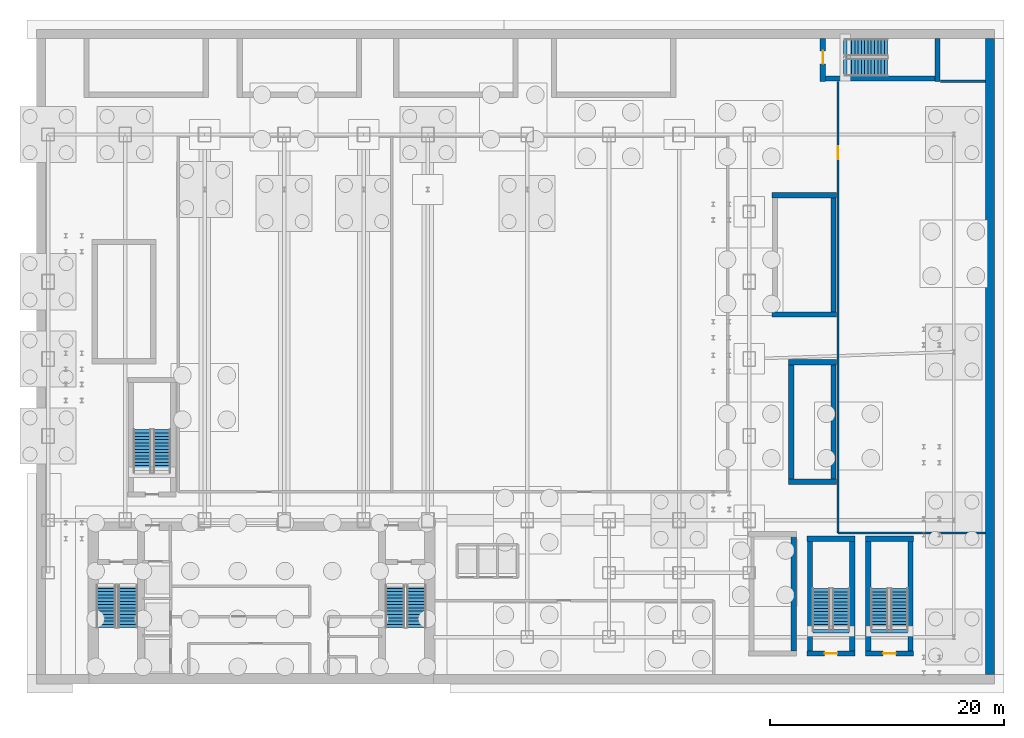
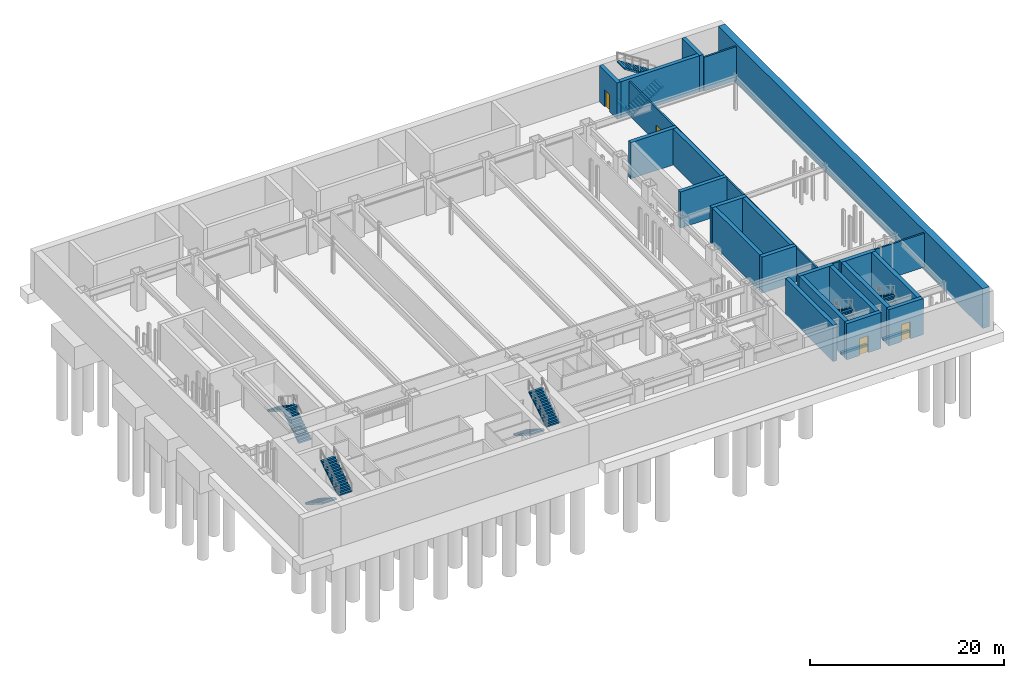
# One storey, part 13 of 17: 26 walls, 12 stair flights, 4 doors, 4 openings, 6 elements without a shape of their own.
"""IFC4 building model written with IfcOpenShell, lengths in metres."""

from ifc_helpers import new_model, si_unit, derived_unit, direction, frame, frame_2d, origin, place, context, subcontext, project, spatial, polyline, rectangle, outline, extrude, source, transform, mapped, material, layer, layer_set, type_object, element, fill, aggregate, save


model = new_model("IFC4")

# Units and contexts
model_context = context("Model", 3, precision=1e-05, world=origin(), true_north=direction((0.0, 1.0)))
body_context = subcontext(model_context, "Body", "Model", "MODEL_VIEW")
ifc_project = project(units=[si_unit("LENGTHUNIT", "METRE"), si_unit("AREAUNIT", "SQUARE_METRE"), si_unit("VOLUMEUNIT", "CUBIC_METRE"), si_unit("PLANEANGLEUNIT", "RADIAN"), si_unit("MASSUNIT", "GRAM", prefix="KILO"), derived_unit("THERMALTRANSMITTANCEUNIT", [(si_unit("POWERUNIT", "WATT"), 1), (si_unit("LENGTHUNIT", "METRE"), -2), (si_unit("THERMODYNAMICTEMPERATUREUNIT", "KELVIN"), -1)])], contexts=[model_context])

# Site, building, storey
site_placement = place(None, origin())
site = spatial("IfcSite", under=ifc_project, at=site_placement, CompositionType="ELEMENT")
building_placement = place(site_placement, origin())
building = spatial("IfcBuilding", under=site, at=building_placement, Name="Skarnbrae Concourse Arena and Tower", CompositionType="ELEMENT")
storey_placement = place(building_placement, frame((0.0, 0.0, -10.0)))
storey = spatial("IfcBuildingStorey", under=building, at=storey_placement, Name="B02", CompositionType="ELEMENT", Elevation=-10.0)

# Wall
ifc_material_1 = material(Name="Concrete 50 MPa (C50/60)", Category="concrete")
ifc_layer_1 = layer(ifc_material_1, 0.800048828125)
ifc_layer_set_1 = layer_set([ifc_layer_1], Name="Concrete 50 MPa (C50/60)")
wall_type_1 = type_object("IfcWallType", Name="WALL-RETAINING-800", PredefinedType="USERDEFINED", material=ifc_layer_set_1)
shared_shape_1 = source(origin(), body_context, "Body", "SweptSolid", [
    extrude(rectangle(XDim=54.39990234375, YDim=0.800048828125, at=frame_2d((27.199951171875, 0.0))), origin(), (0.0, 0.0, 1.0), 5.0),
])
wall_1_placement = place(storey_placement, frame((81.60009765625, 0.800048828125, 0.0), z_axis=(0.0, 0.0, 1.0), x_axis=(0.0, 1.0, 0.0)))
element("IfcWall", 1, at=wall_1_placement, inside=storey, type_object=wall_type_1, Name="B02 Basement retaining wall RW-E", ObjectType="RETAINING WALL", PredefinedType="USERDEFINED", context=body_context, shape_type="MappedRepresentation", body=[
    mapped(shared_shape_1, transform((0.0, 0.0, 0.0))),
])

# Wall, opening, door
ifc_layer_2 = layer(ifc_material_1, 0.449951171875)
ifc_layer_set_2 = layer_set([ifc_layer_2], Name="Concrete 50 MPa (C50/60)")
wall_type_2 = type_object("IfcWallType", Name="WALL-CORE-450-C50", PredefinedType="SHEAR", material=ifc_layer_set_2)
shared_shape_2 = source(origin(), body_context, "Body", "SweptSolid", [
    extrude(rectangle(XDim=4.10009765625, YDim=0.449951171875, at=frame_2d((2.050048828125, 0.0))), origin(), (0.0, 0.0, 1.0), 4.550048828125),
])
wall_2_placement = place(storey_placement, frame((65.949951171875, 2.594970703125, 0.449951171875), z_axis=(0.0, 0.0, 1.0), x_axis=(1.0, 0.0, 0.0)))
wall_2 = element("IfcWall", 2, at=wall_2_placement, inside=storey, type_object=wall_type_2, Name="B02 Protected stair shaft wall ST-B1-S", PredefinedType="SHEAR", context=body_context, shape_type="MappedRepresentation", body=[
    mapped(shared_shape_2, transform((0.0, 0.0, 0.0))),
])
opening_1_placement = place(wall_2_placement, frame((1.5, 0.0, 0.0)))
opening_1 = element("IfcOpeningElement", 3, at=opening_1_placement, cuts=wall_2, Name="Opening DT-03", PredefinedType="OPENING", context=body_context, shape_type="SweptSolid", body=[
    extrude(rectangle(XDim=1.10009765625, YDim=2.14990234375, at=frame_2d((0.550048828125, 1.074951171875))), frame((0.0, 0.23486328125, 0.0), z_axis=(0.0, -1.0, 0.0), x_axis=(1.0, 0.0, 0.0)), (0.0, 0.0, 1.0), 0.469970703125),
])
ifc_material_2 = material(Name="Steel CSA G40.21 350W", Category="steel")
door_type = type_object("IfcDoorType", Name="DOOR-FIRE-1100-90M", OperationType="NOTDEFINED", PredefinedType="DOOR", material=ifc_material_2)
shared_shape_3 = source(origin(), body_context, "Body", "SweptSolid", [
    extrude(rectangle(XDim=1.10009765625, YDim=2.14990234375, at=frame_2d((0.550048828125, 1.074951171875))), frame((0.0, 0.02490234375, 0.0), z_axis=(0.0, -1.0, 0.0), x_axis=(1.0, 0.0, 0.0)), (0.0, 0.0, 1.0), 0.050048828125),
])
door_1_placement = place(opening_1_placement, origin())
door_1 = element("IfcDoor", 4, at=door_1_placement, inside=storey, type_object=door_type, Name="D-0119 Exit Stair ST-B1 Door", OperationType="SINGLE_SWING_LEFT", OverallHeight=2.14990234375, OverallWidth=1.10009765625, PredefinedType="DOOR", context=body_context, shape_type="MappedRepresentation", body=[
    mapped(shared_shape_3, transform((0.0, 0.0, 0.0))),
])
fill(opening_1, door_1)

# Wall
wall_3_placement = place(storey_placement, frame((65.949951171875, 12.405029296875, 0.449951171875), z_axis=(0.0, 0.0, 1.0), x_axis=(1.0, 0.0, 0.0)))
element("IfcWall", 5, at=wall_3_placement, inside=storey, type_object=wall_type_2, Name="B02 Protected stair shaft wall ST-B1-N", PredefinedType="SHEAR", context=body_context, shape_type="MappedRepresentation", body=[
    mapped(shared_shape_2, transform((0.0, 0.0, 0.0))),
])

# Wall, opening, door
wall_4_placement = place(storey_placement, frame((70.949951171875, 2.594970703125, 0.449951171875), z_axis=(0.0, 0.0, 1.0), x_axis=(1.0, 0.0, 0.0)))
wall_4 = element("IfcWall", 6, at=wall_4_placement, inside=storey, type_object=wall_type_2, Name="B02 Protected stair shaft wall ST-B2-S", PredefinedType="SHEAR", context=body_context, shape_type="MappedRepresentation", body=[
    mapped(shared_shape_2, transform((0.0, 0.0, 0.0))),
])
opening_2_placement = place(wall_4_placement, frame((1.5, 0.0, 0.0)))
opening_2 = element("IfcOpeningElement", 7, at=opening_2_placement, cuts=wall_4, Name="Opening DT-03", PredefinedType="OPENING", context=body_context, shape_type="SweptSolid", body=[
    extrude(rectangle(XDim=1.10009765625, YDim=2.14990234375, at=frame_2d((0.550048828125, 1.074951171875))), frame((0.0, 0.23486328125, 0.0), z_axis=(0.0, -1.0, 0.0), x_axis=(1.0, 0.0, 0.0)), (0.0, 0.0, 1.0), 0.469970703125),
])
door_2_placement = place(opening_2_placement, origin())
door_2 = element("IfcDoor", 8, at=door_2_placement, inside=storey, type_object=door_type, Name="D-0120 Exit Stair ST-B2 Door", OperationType="SINGLE_SWING_LEFT", OverallHeight=2.14990234375, OverallWidth=1.10009765625, PredefinedType="DOOR", context=body_context, shape_type="MappedRepresentation", body=[
    mapped(shared_shape_3, transform((0.0, 0.0, 0.0))),
])
fill(opening_2, door_2)

# Walls
wall_5_placement = place(storey_placement, frame((70.949951171875, 12.405029296875, 0.449951171875), z_axis=(0.0, 0.0, 1.0), x_axis=(1.0, 0.0, 0.0)))
element("IfcWall", 9, at=wall_5_placement, inside=storey, type_object=wall_type_2, Name="B02 Protected stair shaft wall ST-B2-N", PredefinedType="SHEAR", context=body_context, shape_type="MappedRepresentation", body=[
    mapped(shared_shape_2, transform((0.0, 0.0, 0.0))),
])
shared_shape_4 = source(origin(), body_context, "Body", "SweptSolid", [
    extrude(rectangle(XDim=9.800048828125, YDim=0.449951171875, at=frame_2d((4.89990234375, 0.0))), origin(), (0.0, 0.0, 1.0), 4.550048828125),
])
for number, where, z_axis, x_axis, name in (
    (10, (64.804931640625, 2.800048828125, 0.449951171875), (0.0, 0.0, 1.0), (0.0, 1.0, 0.0), "B02 Protected stair shaft wall ST-A1-E"),
    (11, (64.594970703125, 17.5, 0.449951171875), (0.0, 0.0, 1.0), (0.0, 1.0, 0.0), "B02 Protected stair shaft wall ST-A2-W"),
    (12, (68.205078125, 17.5, 0.449951171875), (0.0, 0.0, 1.0), (0.0, 1.0, 0.0), "B02 Protected stair shaft wall ST-A2-E"),
    (13, (68.205078125, 31.800048828125, 0.449951171875), (0.0, 0.0, 1.0), (0.0, 1.0, 0.0), "B02 Protected stair shaft wall ST-A4-E"),
):
    element("IfcWall", number, at=place(storey_placement, frame(where, z_axis=z_axis, x_axis=x_axis)), inside=storey, type_object=wall_type_2, Name=name, PredefinedType="SHEAR", context=body_context, shape_type="MappedRepresentation", body=[
        mapped(shared_shape_4, transform((0.0, 0.0, 0.0))),
    ])
shared_shape_5 = source(origin(), body_context, "Body", "SweptSolid", [
    extrude(rectangle(XDim=4.099853515625, YDim=0.449951171875, at=frame_2d((2.0498046875, 0.0))), origin(), (0.0, 0.0, 1.0), 4.550048828125),
])
for number, where, z_axis, x_axis, name in (
    (14, (64.35009765625, 17.294921875, 0.449951171875), (0.0, 0.0, 1.0), (1.0, 0.0, 0.0), "B02 Protected stair shaft wall ST-A2-S"),
    (15, (64.35009765625, 27.5048828125, 0.449951171875), (0.0, 0.0, 1.0), (1.0, 0.0, 0.0), "B02 Protected stair shaft wall ST-A2-N"),
):
    element("IfcWall", number, at=place(storey_placement, frame(where, z_axis=z_axis, x_axis=x_axis)), inside=storey, type_object=wall_type_2, Name=name, PredefinedType="SHEAR", context=body_context, shape_type="MappedRepresentation", body=[
        mapped(shared_shape_5, transform((0.0, 0.0, 0.0))),
    ])
shared_shape_6 = source(origin(), body_context, "Body", "SweptSolid", [
    extrude(rectangle(XDim=5.5, YDim=0.449951171875, at=frame_2d((2.75, 0.0))), origin(), (0.0, 0.0, 1.0), 4.550048828125),
])
for number, where, z_axis, x_axis, name in (
    (16, (62.949951171875, 31.594970703125, 0.449951171875), (0.0, 0.0, 1.0), (1.0, 0.0, 0.0), "B02 Protected stair shaft wall ST-A4-S"),
    (17, (62.949951171875, 41.804931640625, 0.449951171875), (0.0, 0.0, 1.0), (1.0, 0.0, 0.0), "B02 Protected stair shaft wall ST-A4-N"),
):
    element("IfcWall", number, at=place(storey_placement, frame(where, z_axis=z_axis, x_axis=x_axis)), inside=storey, type_object=wall_type_2, Name=name, PredefinedType="SHEAR", context=body_context, shape_type="MappedRepresentation", body=[
        mapped(shared_shape_6, transform((0.0, 0.0, 0.0))),
    ])
shared_shape_7 = source(origin(), body_context, "Body", "SweptSolid", [
    extrude(rectangle(XDim=9.39990234375, YDim=0.449951171875, at=frame_2d((4.699951171875, 0.0))), origin(), (0.0, 0.0, 1.0), 4.550048828125),
])
for number, where, z_axis, x_axis, name in (
    (18, (66.195068359375, 2.800048828125, 0.449951171875), (0.0, 0.0, 1.0), (0.0, 1.0, 0.0), "B02 Protected stair shaft wall ST-B1-W"),
    (19, (69.804931640625, 2.800048828125, 0.449951171875), (0.0, 0.0, 1.0), (0.0, 1.0, 0.0), "B02 Protected stair shaft wall ST-B1-E"),
    (20, (71.195068359375, 2.800048828125, 0.449951171875), (0.0, 0.0, 1.0), (0.0, 1.0, 0.0), "B02 Protected stair shaft wall ST-B2-W"),
    (21, (74.804931640625, 2.800048828125, 0.449951171875), (0.0, 0.0, 1.0), (0.0, 1.0, 0.0), "B02 Protected stair shaft wall ST-B2-E"),
    (22, (67.5, 51.794921875, 0.449951171875), (0.0, 0.0, 1.0), (1.0, 0.0, 0.0), "B02 Protected stair shaft wall ST-B4-S"),
):
    element("IfcWall", number, at=place(storey_placement, frame(where, z_axis=z_axis, x_axis=x_axis)), inside=storey, type_object=wall_type_2, Name=name, PredefinedType="SHEAR", context=body_context, shape_type="MappedRepresentation", body=[
        mapped(shared_shape_7, transform((0.0, 0.0, 0.0))),
    ])
shared_shape_8 = source(origin(), body_context, "Body", "SweptSolid", [
    extrude(rectangle(XDim=3.10009765625, YDim=0.300048828125, at=frame_2d((1.550048828125, 0.0))), origin(), (0.0, 0.0, 1.0), 0.300048828125),
])
for number, where, z_axis, x_axis, name in (
    (23, (69.550048828125, 4.5, -0.300048828125), (0.0, 0.0, 1.0), (-1.0, 0.0, 0.0), "B02 Stair ST-B1 foundation sleeper step"),
    (24, (74.550048828125, 4.5, -0.300048828125), (0.0, 0.0, 1.0), (-1.0, 0.0, 0.0), "B02 Stair ST-B2 foundation sleeper step"),
):
    element("IfcWall", number, at=place(storey_placement, frame(where, z_axis=z_axis, x_axis=x_axis)), inside=storey, type_object=wall_type_2, Name=name, PredefinedType="SHEAR", context=body_context, shape_type="MappedRepresentation", body=[
        mapped(shared_shape_8, transform((0.0, 0.0, 0.0))),
    ])
shared_shape_9 = source(origin(), body_context, "Body", "SweptSolid", [
    extrude(rectangle(XDim=3.099853515625, YDim=0.300048828125, at=frame_2d((1.5498046875, 0.0))), origin(), (0.0, 0.0, 1.0), 0.300048828125),
])
wall_6_placement = place(storey_placement, frame((69.199951171875, 52.050048828125, -0.300048828125), z_axis=(0.0, 0.0, 1.0), x_axis=(0.0, 1.0, 0.0)))
element("IfcWall", 25, at=wall_6_placement, inside=storey, type_object=wall_type_2, Name="B02 Stair ST-B4 foundation sleeper step", PredefinedType="SHEAR", context=body_context, shape_type="MappedRepresentation", body=[
    mapped(shared_shape_9, transform((0.0, 0.0, 0.0))),
])

# Wall, opening, door
shared_shape_10 = source(origin(), body_context, "Body", "SweptSolid", [
    extrude(rectangle(XDim=3.64990234375, YDim=0.449951171875, at=frame_2d((1.824951171875, 0.0))), origin(), (0.0, 0.0, 1.0), 4.550048828125),
])
wall_7_placement = place(storey_placement, frame((67.294921875, 51.550048828125, 0.449951171875), z_axis=(0.0, 0.0, 1.0), x_axis=(0.0, 1.0, 0.0)))
wall_7 = element("IfcWall", 26, at=wall_7_placement, inside=storey, type_object=wall_type_2, Name="B02 Protected stair shaft wall ST-B4-W", PredefinedType="SHEAR", context=body_context, shape_type="MappedRepresentation", body=[
    mapped(shared_shape_10, transform((0.0, 0.0, 0.0))),
])
opening_3_placement = place(wall_7_placement, frame((1.5, 0.0, 0.0)))
opening_3 = element("IfcOpeningElement", 27, at=opening_3_placement, cuts=wall_7, Name="Opening DT-03", PredefinedType="OPENING", context=body_context, shape_type="SweptSolid", body=[
    extrude(rectangle(XDim=1.10009765625, YDim=2.14990234375, at=frame_2d((0.550048828125, 1.074951171875))), frame((0.0, 0.23486328125, 0.0), z_axis=(0.0, -1.0, 0.0), x_axis=(1.0, 0.0, 0.0)), (0.0, 0.0, 1.0), 0.469970703125),
])
door_3_placement = place(opening_3_placement, frame((1.10009765625, 0.0, 0.0), z_axis=(0.0, 0.0, 1.0), x_axis=(-1.0, 0.0, 0.0)))
door_3 = element("IfcDoor", 28, at=door_3_placement, inside=storey, type_object=door_type, Name="D-0122 Exit Stair ST-B4 Door", OperationType="SINGLE_SWING_LEFT", OverallHeight=2.14990234375, OverallWidth=1.10009765625, PredefinedType="DOOR", context=body_context, shape_type="MappedRepresentation", body=[
    mapped(shared_shape_3, transform((0.0, 0.0, 0.0))),
])
fill(opening_3, door_3)

# Wall
wall_8_placement = place(storey_placement, frame((77.10498046875, 51.550048828125, 0.449951171875), z_axis=(0.0, 0.0, 1.0), x_axis=(0.0, 1.0, 0.0)))
element("IfcWall", 29, at=wall_8_placement, inside=storey, type_object=wall_type_2, Name="B02 Protected stair shaft wall ST-B4-E", PredefinedType="SHEAR", context=body_context, shape_type="MappedRepresentation", body=[
    mapped(shared_shape_10, transform((0.0, 0.0, 0.0))),
])

# Wall, opening, door
ifc_material_3 = material(Name="Gypsum board on cold-formed steel studs", Category="steel")
ifc_layer_3 = layer(ifc_material_3, 0.199951171875)
ifc_layer_set_3 = layer_set([ifc_layer_3], Name="Gypsum board on cold-formed steel studs")
wall_type_3 = type_object("IfcWallType", Name="WALL-PART-200-2HR", PredefinedType="PARTITIONING", material=ifc_layer_set_3)
shared_shape_11 = source(origin(), body_context, "Body", "SweptSolid", [
    extrude(rectangle(XDim=38.650146484375, YDim=0.199951171875, at=frame_2d((19.3251953125, 0.0))), origin(), (0.0, 0.0, 1.0), 4.25),
])
wall_9_placement = place(storey_placement, frame((68.60009765625, 12.89990234375, 0.449951171875), z_axis=(0.0, 0.0, 1.0), x_axis=(0.0, 1.0, 0.0)))
wall_9 = element("IfcWall", 30, at=wall_9_placement, inside=storey, type_object=wall_type_3, Name="B02 Interior partition wall W-B02-BRMP-W", PredefinedType="PARTITIONING", context=body_context, shape_type="MappedRepresentation", body=[
    mapped(shared_shape_11, transform((0.0, 0.0, 0.0))),
])
opening_4_placement = place(wall_9_placement, frame((32.0, 0.0, 0.0)))
opening_4 = element("IfcOpeningElement", 31, at=opening_4_placement, cuts=wall_9, Name="Opening DT-03", PredefinedType="OPENING", context=body_context, shape_type="SweptSolid", body=[
    extrude(rectangle(XDim=1.10009765625, YDim=2.14990234375, at=frame_2d((0.550048828125, 1.074951171875))), frame((0.0, 0.10986328125, 0.0), z_axis=(0.0, -1.0, 0.0), x_axis=(1.0, 0.0, 0.0)), (0.0, 0.0, 1.0), 0.219970703125),
])
door_4_placement = place(opening_4_placement, origin())
door_4 = element("IfcDoor", 32, at=door_4_placement, inside=storey, type_object=door_type, Name="D-0118 Sprinkler and Ramp Bay Door", OperationType="SINGLE_SWING_LEFT", OverallHeight=2.14990234375, OverallWidth=1.10009765625, PredefinedType="DOOR", context=body_context, shape_type="MappedRepresentation", body=[
    mapped(shared_shape_3, transform((0.0, 0.0, 0.0))),
])
fill(opening_4, door_4)

# Walls
shared_shape_12 = source(origin(), body_context, "Body", "SweptSolid", [
    extrude(rectangle(XDim=12.599853515625, YDim=0.199951171875, at=frame_2d((6.2998046875, 0.0))), origin(), (0.0, 0.0, 1.0), 4.25),
])
wall_10_placement = place(storey_placement, frame((68.60009765625, 12.89990234375, 0.449951171875), z_axis=(0.0, 0.0, 1.0), x_axis=(1.0, 0.0, 0.0)))
element("IfcWall", 33, at=wall_10_placement, inside=storey, type_object=wall_type_3, Name="B02 Interior partition wall W-B02-BRMP-S", PredefinedType="PARTITIONING", context=body_context, shape_type="MappedRepresentation", body=[
    mapped(shared_shape_12, transform((0.0, 0.0, 0.0))),
])
shared_shape_13 = source(origin(), body_context, "Body", "SweptSolid", [
    extrude(rectangle(XDim=3.849853515625, YDim=0.199951171875, at=frame_2d((1.9248046875, 0.0))), origin(), (0.0, 0.0, 1.0), 4.25),
])
wall_11_placement = place(storey_placement, frame((77.35009765625, 51.550048828125, 0.449951171875), z_axis=(0.0, 0.0, 1.0), x_axis=(1.0, 0.0, 0.0)))
element("IfcWall", 34, at=wall_11_placement, inside=storey, type_object=wall_type_3, Name="B02 Interior partition wall W-B02-BRMP-N", PredefinedType="PARTITIONING", context=body_context, shape_type="MappedRepresentation", body=[
    mapped(shared_shape_13, transform((0.0, 0.0, 0.0))),
])

# Stair, stair flights
ifc_material_4 = material(Name="Concrete 40 MPa (C40/50)", Category="concrete")
stair_type_1 = type_object("IfcStairType", Name="STAIR-DOGLEG-1650", PredefinedType="HALF_TURN_STAIR", material=ifc_material_4)
stair_1_placement = place(storey_placement, origin())
stair_1 = element("IfcStair", 35, at=stair_1_placement, inside=storey, type_object=stair_type_1, Name="B02 Protected Exit Stair ST-1", PredefinedType="HALF_TURN_STAIR")
stair_flight_type_1 = type_object("IfcStairFlightType", Name="FLIGHT-STRAIGHT-1650", PredefinedType="STRAIGHT", material=ifc_material_4)
shared_shape_14 = source(origin(), body_context, "Body", "SweptSolid", [
    extrude(outline(polyline([(0.0, 0.0), (0.0, 0.178466796875), (0.280029296875, 0.178466796875), (0.280029296875, 0.357177734375), (0.56005859375, 0.357177734375), (0.56005859375, 0.53564453125), (0.840087890625, 0.53564453125), (0.840087890625, 0.71435546875), (1.1201171875, 0.71435546875), (1.1201171875, 0.892822265625), (1.39990234375, 0.892822265625), (1.39990234375, 1.071533203125), (1.679931640625, 1.071533203125), (1.679931640625, 1.25), (1.9599609375, 1.25), (1.9599609375, 1.428466796875), (2.239990234375, 1.428466796875), (2.239990234375, 1.607177734375), (2.52001953125, 1.607177734375), (2.52001953125, 1.78564453125), (2.800048828125, 1.78564453125), (2.800048828125, 1.96435546875), (3.080078125, 1.96435546875), (3.080078125, 2.142822265625), (3.360107421875, 2.142822265625), (3.360107421875, 2.321533203125), (3.639892578125, 2.321533203125), (3.639892578125, 2.5), (3.639892578125, 2.1435546875), (0.27880859375, 0.0), (0.0, 0.0)])), frame((0.0, 0.824951171875, 0.0), z_axis=(0.0, -1.0, 0.0), x_axis=(1.0, 0.0, 0.0)), (0.0, 0.0, 1.0), 1.64990234375),
])
stair_flight_1_placement = place(storey_placement, frame((5.97509765625, 8.449951171875, 0.0), z_axis=(0.0, 0.0, 1.0), x_axis=(0.0, -1.0, 0.0)))
stair_flight_1 = element("IfcStairFlight", 36, at=stair_flight_1_placement, type_object=stair_flight_type_1, Name="ST-1 flight 1", NumberOfRisers=14, NumberOfTreads=13, PredefinedType="STRAIGHT", RiserHeight=0.178571429, TreadLength=0.28, context=body_context, shape_type="MappedRepresentation", body=[
    mapped(shared_shape_14, transform((0.0, 0.0, 0.0))),
])
stair_flight_2_placement = place(storey_placement, frame((7.824951171875, 4.81005859375, 2.5), z_axis=(0.0, 0.0, 1.0), x_axis=(0.0, 1.0, 0.0)))
stair_flight_2 = element("IfcStairFlight", 37, at=stair_flight_2_placement, type_object=stair_flight_type_1, Name="ST-1 flight 2", NumberOfRisers=14, NumberOfTreads=13, PredefinedType="STRAIGHT", RiserHeight=0.178571429, TreadLength=0.28, context=body_context, shape_type="MappedRepresentation", body=[
    mapped(shared_shape_14, transform((0.0, 0.0, 0.0))),
])
aggregate(stair_1, [stair_flight_1, stair_flight_2])

stair_2_placement = place(storey_placement, origin())
stair_2 = element("IfcStair", 38, at=stair_2_placement, inside=storey, type_object=stair_type_1, Name="B02 Protected Exit Stair ST-2", PredefinedType="HALF_TURN_STAIR")
stair_flight_3_placement = place(storey_placement, frame((30.675048828125, 8.449951171875, 0.0), z_axis=(0.0, 0.0, 1.0), x_axis=(0.0, -1.0, 0.0)))
stair_flight_3 = element("IfcStairFlight", 39, at=stair_flight_3_placement, type_object=stair_flight_type_1, Name="ST-2 flight 1", NumberOfRisers=14, NumberOfTreads=13, PredefinedType="STRAIGHT", RiserHeight=0.178571429, TreadLength=0.28, context=body_context, shape_type="MappedRepresentation", body=[
    mapped(shared_shape_14, transform((0.0, 0.0, 0.0))),
])
stair_flight_4_placement = place(storey_placement, frame((32.52490234375, 4.81005859375, 2.5), z_axis=(0.0, 0.0, 1.0), x_axis=(0.0, 1.0, 0.0)))
stair_flight_4 = element("IfcStairFlight", 40, at=stair_flight_4_placement, type_object=stair_flight_type_1, Name="ST-2 flight 2", NumberOfRisers=14, NumberOfTreads=13, PredefinedType="STRAIGHT", RiserHeight=0.178571429, TreadLength=0.28, context=body_context, shape_type="MappedRepresentation", body=[
    mapped(shared_shape_14, transform((0.0, 0.0, 0.0))),
])
aggregate(stair_2, [stair_flight_3, stair_flight_4])

stair_type_2 = type_object("IfcStairType", Name="STAIR-DOGLEG-1500", PredefinedType="HALF_TURN_STAIR", material=ifc_material_4)
stair_3_placement = place(storey_placement, origin())
stair_3 = element("IfcStair", 41, at=stair_3_placement, inside=storey, type_object=stair_type_2, Name="B02 Substructure Exit Stair ST-B1", PredefinedType="HALF_TURN_STAIR")
stair_flight_type_2 = type_object("IfcStairFlightType", Name="FLIGHT-STRAIGHT-1500", PredefinedType="STRAIGHT", material=ifc_material_4)
shared_shape_15 = source(origin(), body_context, "Body", "SweptSolid", [
    extrude(outline(polyline([(0.0, 0.0), (0.0, 0.178466796875), (0.280029296875, 0.178466796875), (0.280029296875, 0.357177734375), (0.56005859375, 0.357177734375), (0.56005859375, 0.53564453125), (0.840087890625, 0.53564453125), (0.840087890625, 0.71435546875), (1.1201171875, 0.71435546875), (1.1201171875, 0.892822265625), (1.39990234375, 0.892822265625), (1.39990234375, 1.071533203125), (1.679931640625, 1.071533203125), (1.679931640625, 1.25), (1.9599609375, 1.25), (1.9599609375, 1.428466796875), (2.239990234375, 1.428466796875), (2.239990234375, 1.607177734375), (2.52001953125, 1.607177734375), (2.52001953125, 1.78564453125), (2.800048828125, 1.78564453125), (2.800048828125, 1.96435546875), (3.080078125, 1.96435546875), (3.080078125, 2.142822265625), (3.360107421875, 2.142822265625), (3.360107421875, 2.321533203125), (3.639892578125, 2.321533203125), (3.639892578125, 2.5), (3.639892578125, 2.1435546875), (0.27880859375, 0.0), (0.0, 0.0)])), frame((0.0, 0.75, 0.0), z_axis=(0.0, -1.0, 0.0), x_axis=(1.0, 0.0, 0.0)), (0.0, 0.0, 1.0), 1.5),
])
stair_flight_5_placement = place(storey_placement, frame((68.85009765625, 4.5, 0.0), z_axis=(0.0, 0.0, 1.0), x_axis=(0.0, 1.0, 0.0)))
stair_flight_5 = element("IfcStairFlight", 42, at=stair_flight_5_placement, type_object=stair_flight_type_2, Name="ST-B1 flight 1", NumberOfRisers=14, NumberOfTreads=13, PredefinedType="STRAIGHT", RiserHeight=0.178571429, TreadLength=0.28, context=body_context, shape_type="MappedRepresentation", body=[
    mapped(shared_shape_15, transform((0.0, 0.0, 0.0))),
])
stair_flight_6_placement = place(storey_placement, frame((67.14990234375, 8.139892578125, 2.5), z_axis=(0.0, 0.0, 1.0), x_axis=(0.0, -1.0, 0.0)))
stair_flight_6 = element("IfcStairFlight", 43, at=stair_flight_6_placement, type_object=stair_flight_type_2, Name="ST-B1 flight 2", NumberOfRisers=14, NumberOfTreads=13, PredefinedType="STRAIGHT", RiserHeight=0.178571429, TreadLength=0.28, context=body_context, shape_type="MappedRepresentation", body=[
    mapped(shared_shape_15, transform((0.0, 0.0, 0.0))),
])
aggregate(stair_3, [stair_flight_5, stair_flight_6])

stair_4_placement = place(storey_placement, origin())
stair_4 = element("IfcStair", 44, at=stair_4_placement, inside=storey, type_object=stair_type_2, Name="B02 Substructure Exit Stair ST-B2", PredefinedType="HALF_TURN_STAIR")
stair_flight_7_placement = place(storey_placement, frame((73.85009765625, 4.5, 0.0), z_axis=(0.0, 0.0, 1.0), x_axis=(0.0, 1.0, 0.0)))
stair_flight_7 = element("IfcStairFlight", 45, at=stair_flight_7_placement, type_object=stair_flight_type_2, Name="ST-B2 flight 1", NumberOfRisers=14, NumberOfTreads=13, PredefinedType="STRAIGHT", RiserHeight=0.178571429, TreadLength=0.28, context=body_context, shape_type="MappedRepresentation", body=[
    mapped(shared_shape_15, transform((0.0, 0.0, 0.0))),
])
stair_flight_8_placement = place(storey_placement, frame((72.14990234375, 8.139892578125, 2.5), z_axis=(0.0, 0.0, 1.0), x_axis=(0.0, -1.0, 0.0)))
stair_flight_8 = element("IfcStairFlight", 46, at=stair_flight_8_placement, type_object=stair_flight_type_2, Name="ST-B2 flight 2", NumberOfRisers=14, NumberOfTreads=13, PredefinedType="STRAIGHT", RiserHeight=0.178571429, TreadLength=0.28, context=body_context, shape_type="MappedRepresentation", body=[
    mapped(shared_shape_15, transform((0.0, 0.0, 0.0))),
])
aggregate(stair_4, [stair_flight_7, stair_flight_8])

stair_5_placement = place(storey_placement, origin())
stair_5 = element("IfcStair", 47, at=stair_5_placement, inside=storey, type_object=stair_type_2, Name="B02 Substructure Exit Stair ST-B3", PredefinedType="HALF_TURN_STAIR")
stair_flight_9_placement = place(storey_placement, frame((10.75, 18.10009765625, 0.0), z_axis=(0.0, 0.0, 1.0), x_axis=(0.0, 1.0, 0.0)))
stair_flight_9 = element("IfcStairFlight", 48, at=stair_flight_9_placement, type_object=stair_flight_type_2, Name="ST-B3 flight 1", NumberOfRisers=14, NumberOfTreads=13, PredefinedType="STRAIGHT", RiserHeight=0.178571429, TreadLength=0.28, context=body_context, shape_type="MappedRepresentation", body=[
    mapped(shared_shape_15, transform((0.0, 0.0, 0.0))),
])
stair_flight_10_placement = place(storey_placement, frame((9.050048828125, 21.739990234375, 2.5), z_axis=(0.0, 0.0, 1.0), x_axis=(0.0, -1.0, 0.0)))
stair_flight_10 = element("IfcStairFlight", 49, at=stair_flight_10_placement, type_object=stair_flight_type_2, Name="ST-B3 flight 2", NumberOfRisers=14, NumberOfTreads=13, PredefinedType="STRAIGHT", RiserHeight=0.178571429, TreadLength=0.28, context=body_context, shape_type="MappedRepresentation", body=[
    mapped(shared_shape_15, transform((0.0, 0.0, 0.0))),
])
aggregate(stair_5, [stair_flight_9, stair_flight_10])

stair_6_placement = place(storey_placement, origin())
stair_6 = element("IfcStair", 50, at=stair_6_placement, inside=storey, type_object=stair_type_2, Name="B02 Substructure Exit Stair ST-B4", PredefinedType="HALF_TURN_STAIR")
stair_flight_11_placement = place(storey_placement, frame((69.199951171875, 52.75, 0.0), z_axis=(0.0, 0.0, 1.0), x_axis=(1.0, 0.0, 0.0)))
stair_flight_11 = element("IfcStairFlight", 51, at=stair_flight_11_placement, type_object=stair_flight_type_2, Name="ST-B4 flight 1", NumberOfRisers=14, NumberOfTreads=13, PredefinedType="STRAIGHT", RiserHeight=0.178571429, TreadLength=0.28, context=body_context, shape_type="MappedRepresentation", body=[
    mapped(shared_shape_15, transform((0.0, 0.0, 0.0))),
])
stair_flight_12_placement = place(storey_placement, frame((72.840087890625, 54.449951171875, 2.5), z_axis=(0.0, 0.0, 1.0), x_axis=(-1.0, 0.0, 0.0)))
stair_flight_12 = element("IfcStairFlight", 52, at=stair_flight_12_placement, type_object=stair_flight_type_2, Name="ST-B4 flight 2", NumberOfRisers=14, NumberOfTreads=13, PredefinedType="STRAIGHT", RiserHeight=0.178571429, TreadLength=0.28, context=body_context, shape_type="MappedRepresentation", body=[
    mapped(shared_shape_15, transform((0.0, 0.0, 0.0))),
])
aggregate(stair_6, [stair_flight_11, stair_flight_12])

save(model, "model.ifc")
